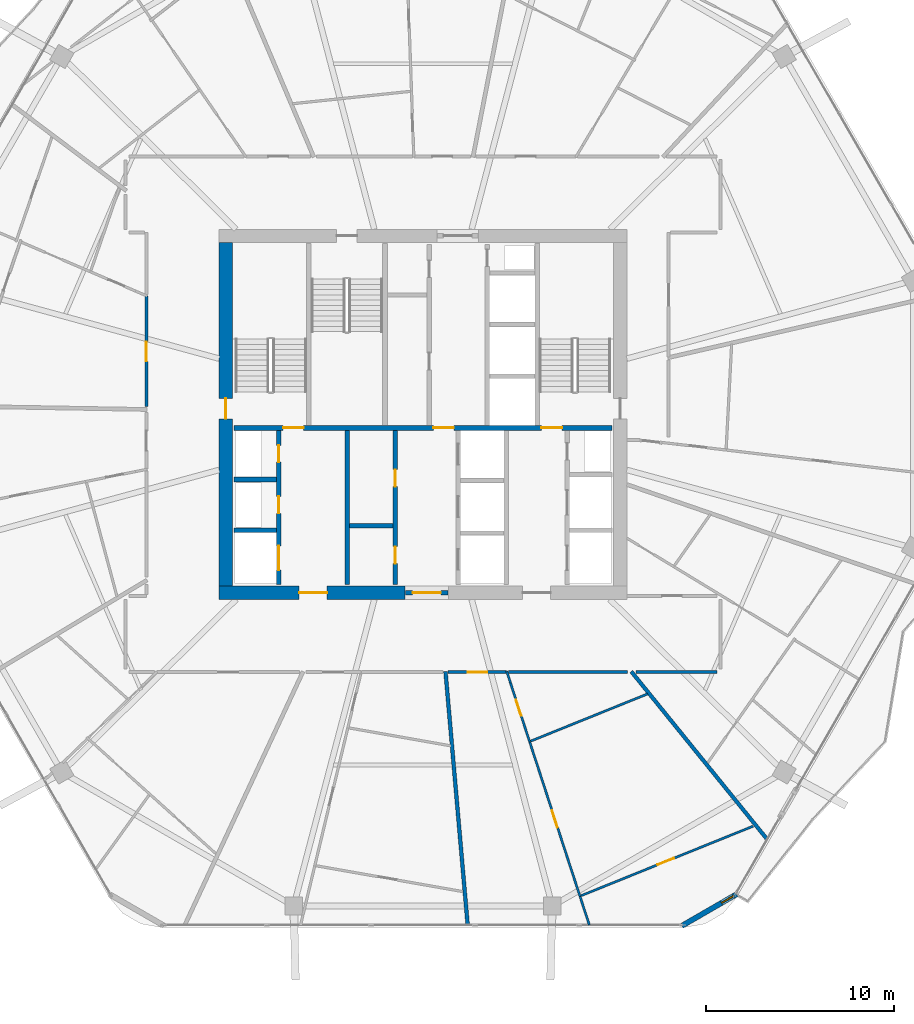
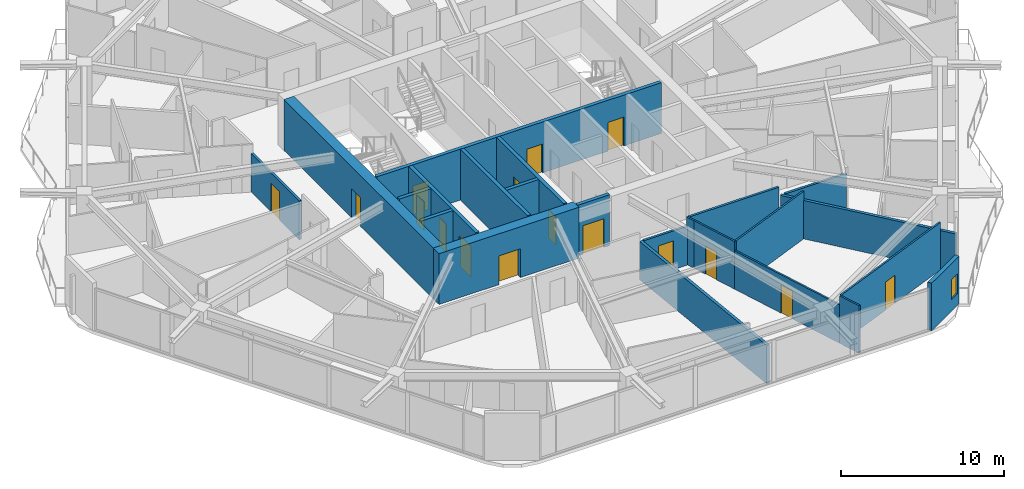
# One storey, part 18 of 26: 23 walls, 16 doors, 1 window, 17 openings.
"""IFC4 building model written with IfcOpenShell, lengths in metres."""

from ifc_helpers import new_model, si_unit, direction, frame, frame_2d, origin, place, context, subcontext, project, spatial, rectangle, extrude, material, layer, layer_set, type_object, element, fill, save


model = new_model("IFC4")

# Units and contexts
model_context = context("Model", 3, precision=1e-05, world=origin(), true_north=direction((0.0, 1.0)))
body_context = subcontext(model_context, "Body", "Model", "MODEL_VIEW")
ifc_project = project(units=[si_unit("LENGTHUNIT", "METRE"), si_unit("AREAUNIT", "SQUARE_METRE"), si_unit("VOLUMEUNIT", "CUBIC_METRE"), si_unit("PLANEANGLEUNIT", "RADIAN"), si_unit("MASSUNIT", "GRAM", prefix="KILO")], contexts=[model_context])

# Site, building, storey
site_placement = place(None, origin())
site = spatial("IfcSite", under=ifc_project, at=site_placement, CompositionType="ELEMENT")
building_placement = place(site_placement, origin())
building = spatial("IfcBuilding", under=site, at=building_placement, Name="Zuhravey Tower", CompositionType="ELEMENT")
storey_placement = place(building_placement, frame((0.0, 0.0, 211.199951171875)))
storey = spatial("IfcBuildingStorey", under=building, at=storey_placement, Name="L53", CompositionType="ELEMENT", Elevation=211.199951171875)

# Wall, opening, door
ifc_material_1 = material(Name="Concrete C60/75", Category="concrete")
ifc_layer_1 = layer(ifc_material_1, 0.699951171875)
ifc_layer_set_1 = layer_set([ifc_layer_1], Name="Concrete C60/75")
wall_type_1 = type_object("IfcWallType", Name="Core Shear Wall 700", PredefinedType="SHEAR", material=ifc_layer_set_1)
wall_1_placement = place(storey_placement, frame((25.14990234375, 22.5, 0.0), z_axis=(0.0, 0.0, 1.0), x_axis=(1.0, 0.0, 0.0)))
wall_1 = element("IfcWall", 1, at=wall_1_placement, inside=storey, type_object=wall_type_1, Name="L53 South-West Core Shear Wall CW70", PredefinedType="SHEAR", context=body_context, shape_type="SweptSolid", body=[
    extrude(rectangle(XDim=9.900146484375, YDim=0.699951171875, at=frame_2d((4.9501953125, 0.0))), origin(), (0.0, 0.0, 1.0), 3.800048828125),
])
opening_1_placement = place(wall_1_placement, frame((4.25, 0.0, 0.0)))
opening_1 = element("IfcOpeningElement", 2, at=opening_1_placement, cuts=wall_1, Name="Opening FFD1", PredefinedType="OPENING", context=body_context, shape_type="SweptSolid", body=[
    extrude(rectangle(XDim=1.5, YDim=2.14990234375, at=frame_2d((0.75, 1.074951171875))), frame((0.0, 0.362060546875, 0.0), z_axis=(0.0, -1.0, 0.0), x_axis=(1.0, 0.0, 0.0)), (0.0, 0.0, 1.0), 0.723876953125),
])
ifc_material_2 = material(Name="Galvanised fire-rated steel leaf", Category="steel")
door_type_1 = type_object("IfcDoorType", Name="Firefighting Lobby Double Door 1500x2150", OperationType="DOUBLE_DOOR_SINGLE_SWING", PredefinedType="DOOR", material=ifc_material_2)
door_1_placement = place(opening_1_placement, origin())
door_1 = element("IfcDoor", 3, at=door_1_placement, inside=storey, type_object=door_type_1, Name="L53 Firefighting Lobby West Door", OperationType="DOUBLE_DOOR_SINGLE_SWING", OverallHeight=2.14990234375, OverallWidth=1.5, PredefinedType="DOOR", context=body_context, shape_type="SweptSolid", body=[
    extrude(rectangle(XDim=1.5, YDim=2.14990234375, at=frame_2d((0.75, 1.074951171875))), frame((0.0, 0.02490234375, 0.0), z_axis=(0.0, -1.0, 0.0), x_axis=(1.0, 0.0, 0.0)), (0.0, 0.0, 1.0), 0.050048828125),
])
fill(opening_1, door_1)

wall_2_placement = place(storey_placement, frame((25.5, 22.85009765625, 0.0), z_axis=(0.0, 0.0, 1.0), x_axis=(0.0, 1.0, 0.0)))
wall_2 = element("IfcWall", 4, at=wall_2_placement, inside=storey, type_object=wall_type_1, Name="L53 West Core Shear Wall CW70", PredefinedType="SHEAR", context=body_context, shape_type="SweptSolid", body=[
    extrude(rectangle(XDim=18.2998046875, YDim=0.699951171875, at=frame_2d((9.14990234375, 0.0))), origin(), (0.0, 0.0, 1.0), 3.800048828125),
])
opening_2_placement = place(wall_2_placement, frame((8.89990234375, 0.0, 0.0)))
opening_2 = element("IfcOpeningElement", 5, at=opening_2_placement, cuts=wall_2, Name="Opening STD1", PredefinedType="OPENING", context=body_context, shape_type="SweptSolid", body=[
    extrude(rectangle(XDim=1.10009765625, YDim=2.14990234375, at=frame_2d((0.550048828125, 1.074951171875))), frame((0.0, 0.362060546875, 0.0), z_axis=(0.0, -1.0, 0.0), x_axis=(1.0, 0.0, 0.0)), (0.0, 0.0, 1.0), 0.723876953125),
])
door_type_2 = type_object("IfcDoorType", Name="Protected Stair Fire Door 1100x2150", OperationType="NOTDEFINED", PredefinedType="USERDEFINED", material=ifc_material_2)
door_2_placement = place(opening_2_placement, frame((1.10009765625, 0.0, 0.0), z_axis=(0.0, 0.0, 1.0), x_axis=(-1.0, 0.0, 0.0)))
door_2 = element("IfcDoor", 6, at=door_2_placement, inside=storey, type_object=door_type_2, Name="L53 Stair ST1 Door", ObjectType="EXITDOOR", OperationType="SINGLE_SWING_LEFT", OverallHeight=2.14990234375, OverallWidth=1.10009765625, PredefinedType="USERDEFINED", context=body_context, shape_type="SweptSolid", body=[
    extrude(rectangle(XDim=1.10009765625, YDim=2.14990234375, at=frame_2d((0.550048828125, 1.074951171875))), frame((0.0, 0.02490234375, 0.0), z_axis=(0.0, -1.0, 0.0), x_axis=(1.0, 0.0, 0.0)), (0.0, 0.0, 1.0), 0.050048828125),
])
fill(opening_2, door_2)

ifc_material_3 = material(Name="Gypsum fire-rated stud partition")
ifc_layer_2 = layer(ifc_material_3, 0.159912109375)
ifc_layer_set_2 = layer_set([ifc_layer_2], Name="Gypsum fire-rated stud partition")
wall_type_2 = type_object("IfcWallType", Name="Corridor Fire Partition 160", PredefinedType="PARTITIONING", material=ifc_layer_set_2)
wall_3_placement = place(storey_placement, frame((21.27001953125, 38.29150390625, 0.0), z_axis=(0.0, 0.0, 1.0), x_axis=(0.0, -1.0, 0.0)))
wall_3 = element("IfcWall", 7, at=wall_3_placement, inside=storey, type_object=wall_type_2, Name="L53 IW16 Partition 040", PredefinedType="PARTITIONING", context=body_context, shape_type="SweptSolid", body=[
    extrude(rectangle(XDim=5.8857421875, YDim=0.159912109375, at=frame_2d((2.94287109375, 0.0))), origin(), (0.0, 0.0, 1.0), 2.900146484375),
])
opening_3_placement = place(wall_3_placement, frame((2.41796875, 0.0, 0.0)))
opening_3 = element("IfcOpeningElement", 8, at=opening_3_placement, cuts=wall_3, Name="Opening APD1", PredefinedType="OPENING", context=body_context, shape_type="SweptSolid", body=[
    extrude(rectangle(XDim=1.050048828125, YDim=2.14990234375, at=frame_2d((0.52490234375, 1.074951171875))), frame((0.0, 0.092041015625, 0.0), z_axis=(0.0, -1.0, 0.0), x_axis=(1.0, 0.0, 0.0)), (0.0, 0.0, 1.0), 0.183837890625),
])
ifc_material_4 = material(Name="Solid-core oak fire-rated leaf")
door_type_3 = type_object("IfcDoorType", Name="Apartment Entrance Fire Door 1050x2150", OperationType="NOTDEFINED", PredefinedType="DOOR", material=ifc_material_4)
door_3_placement = place(opening_3_placement, frame((1.050048828125, 0.0, 0.0), z_axis=(0.0, 0.0, 1.0), x_axis=(-1.0, 0.0, 0.0)))
door_3 = element("IfcDoor", 9, at=door_3_placement, inside=storey, type_object=door_type_3, Name="L53 Door 040.1", OperationType="SINGLE_SWING_LEFT", OverallHeight=2.14990234375, OverallWidth=1.050048828125, PredefinedType="DOOR", context=body_context, shape_type="SweptSolid", body=[
    extrude(rectangle(XDim=1.050048828125, YDim=2.14990234375, at=frame_2d((0.52490234375, 1.074951171875))), frame((0.0, 0.02490234375, 0.0), z_axis=(0.0, -1.0, 0.0), x_axis=(1.0, 0.0, 0.0)), (0.0, 0.0, 1.0), 0.050048828125),
])
fill(opening_3, door_3)

wall_4_placement = place(storey_placement, frame((37.342041015625, 18.27001953125, 0.0), z_axis=(0.0, 0.0, 1.0), x_axis=(1.0, 0.0, 0.0)))
wall_4 = element("IfcWall", 10, at=wall_4_placement, inside=storey, type_object=wall_type_2, Name="L53 IW16 Partition 059", PredefinedType="PARTITIONING", context=body_context, shape_type="SweptSolid", body=[
    extrude(rectangle(XDim=3.108642578125, YDim=0.159912109375, at=frame_2d((1.55419921875, 0.0))), origin(), (0.0, 0.0, 1.0), 2.900146484375),
])
opening_4_placement = place(wall_4_placement, frame((1.029296875, 0.0, 0.0)))
opening_4 = element("IfcOpeningElement", 11, at=opening_4_placement, cuts=wall_4, Name="Opening APD1", PredefinedType="OPENING", context=body_context, shape_type="SweptSolid", body=[
    extrude(rectangle(XDim=1.050048828125, YDim=2.14990234375, at=frame_2d((0.52490234375, 1.074951171875))), frame((0.0, 0.092041015625, 0.0), z_axis=(0.0, -1.0, 0.0), x_axis=(1.0, 0.0, 0.0)), (0.0, 0.0, 1.0), 0.183837890625),
])
door_4_placement = place(opening_4_placement, frame((1.050048828125, 0.0, 0.0), z_axis=(0.0, 0.0, 1.0), x_axis=(-1.0, 0.0, 0.0)))
door_4 = element("IfcDoor", 12, at=door_4_placement, inside=storey, type_object=door_type_3, Name="L53 Door 059.1", OperationType="SINGLE_SWING_LEFT", OverallHeight=2.14990234375, OverallWidth=1.050048828125, PredefinedType="DOOR", context=body_context, shape_type="SweptSolid", body=[
    extrude(rectangle(XDim=1.050048828125, YDim=2.14990234375, at=frame_2d((0.52490234375, 1.074951171875))), frame((0.0, 0.02490234375, 0.0), z_axis=(0.0, -1.0, 0.0), x_axis=(1.0, 0.0, 0.0)), (0.0, 0.0, 1.0), 0.050048828125),
])
fill(opening_4, door_4)

# Walls
wall_5_placement = place(storey_placement, frame((40.543212890625, 18.27001953125, 0.0), z_axis=(0.0, 0.0, 1.0), x_axis=(1.0, 0.0, 0.0)))
element("IfcWall", 13, at=wall_5_placement, inside=storey, type_object=wall_type_2, Name="L53 IW16 Partition 135", PredefinedType="PARTITIONING", context=body_context, shape_type="SweptSolid", body=[
    extrude(rectangle(XDim=6.3525390625, YDim=0.159912109375, at=frame_2d((3.17626953125, 0.0))), origin(), (0.0, 0.0, 1.0), 3.550048828125),
])
wall_6_placement = place(storey_placement, frame((47.343994140625, 18.27001953125, 0.0), z_axis=(0.0, 0.0, 1.0), x_axis=(1.0, 0.0, 0.0)))
element("IfcWall", 14, at=wall_6_placement, inside=storey, type_object=wall_type_2, Name="L53 IW16 Partition 136", PredefinedType="PARTITIONING", context=body_context, shape_type="SweptSolid", body=[
    extrude(rectangle(XDim=4.305908203125, YDim=0.159912109375, at=frame_2d((2.15283203125, 0.0))), origin(), (0.0, 0.0, 1.0), 2.900146484375),
])

# Wall, opening, window
ifc_material_5 = material(Name="Precast concrete C40/50", Category="concrete")
ifc_layer_3 = layer(ifc_material_5, 0.280029296875)
ifc_layer_set_3 = layer_set([ifc_layer_3], Name="Precast concrete C40/50")
wall_type_3 = type_object("IfcWallType", Name="Crown Architectural Wall 280", PredefinedType="SOLIDWALL", material=ifc_layer_set_3)
wall_7_placement = place(storey_placement, frame((52.693115234375, 6.451904296875, 0.0), z_axis=(0.0, 0.0, 1.0), x_axis=(-0.866020068361, -0.500009241111, 0.0)))
wall_7 = element("IfcWall", 15, at=wall_7_placement, inside=storey, type_object=wall_type_3, Name="L53 Rounded Corner Closure Wall EW28-02", PredefinedType="SOLIDWALL", context=body_context, shape_type="SweptSolid", body=[
    extrude(rectangle(XDim=3.365234375, YDim=0.280029296875, at=frame_2d((1.6826171875, 0.0))), origin(), (0.0, 0.0, 1.0), 3.550048828125),
])
opening_5_placement = place(wall_7_placement, frame((0.17919921875, 0.0, 0.85009765625)))
opening_5 = element("IfcOpeningElement", 16, at=opening_5_placement, cuts=wall_7, Name="Opening WN5", PredefinedType="OPENING", context=body_context, shape_type="SweptSolid", body=[
    extrude(rectangle(XDim=0.75, YDim=1.5, at=frame_2d((0.375, 0.75))), frame((0.0, 0.152099609375, 0.0), z_axis=(0.0, -1.0, 0.0), x_axis=(1.0, 0.0, 0.0)), (0.0, 0.0, 1.0), 0.303955078125),
])
ifc_material_6 = material(Name="Thermally broken aluminium and triple low-E glass", Category="aluminium")
window_type = type_object("IfcWindowType", Name="Residential Corner Casement Window 750x1500", PartitioningType="SINGLE_PANEL", PredefinedType="WINDOW", material=ifc_material_6)
window_placement = place(opening_5_placement, origin())
window = element("IfcWindow", 17, at=window_placement, inside=storey, type_object=window_type, Name="L53 Corner Casement Window WN5-02.1", OverallHeight=1.5, OverallWidth=0.75, PartitioningType="SINGLE_PANEL", PredefinedType="WINDOW", context=body_context, shape_type="SweptSolid", body=[
    extrude(rectangle(XDim=0.75, YDim=1.5, at=frame_2d((0.375, 0.75))), frame((0.0, 0.030029296875, 0.0), z_axis=(0.0, -1.0, 0.0), x_axis=(1.0, 0.0, 0.0)), (0.0, 0.0, 1.0), 0.06005859375),
])
fill(opening_5, window)

# Wall, opening, door
ifc_material_7 = material(Name="Concrete C50/60", Category="concrete")
ifc_layer_4 = layer(ifc_material_7, 0.25)
ifc_layer_set_4 = layer_set([ifc_layer_4], Name="Concrete C50/60")
wall_type_4 = type_object("IfcWallType", Name="Firefighting Shaft & Stair Wall 250", PredefinedType="SOLIDWALL", material=ifc_layer_set_4)
wall_8_placement = place(storey_placement, frame((35.06005859375, 22.5, 0.0), z_axis=(0.0, 0.0, 1.0), x_axis=(1.0, 0.0, 0.0)))
wall_8 = element("IfcWall", 18, at=wall_8_placement, inside=storey, type_object=wall_type_4, Name="L53 FW25 Shaft Wall 001", PredefinedType="SOLIDWALL", context=body_context, shape_type="SweptSolid", body=[
    extrude(rectangle(XDim=2.280029296875, YDim=0.25, at=frame_2d((1.14013671875, 0.0))), origin(), (0.0, 0.0, 1.0), 3.800048828125),
])
opening_6_placement = place(wall_8_placement, frame((0.389892578125, 0.0, 0.0)))
opening_6 = element("IfcOpeningElement", 19, at=opening_6_placement, cuts=wall_8, Name="Opening FFD1", PredefinedType="OPENING", context=body_context, shape_type="SweptSolid", body=[
    extrude(rectangle(XDim=1.5, YDim=2.14990234375, at=frame_2d((0.75, 1.074951171875))), frame((0.0, 0.136962890625, 0.0), z_axis=(0.0, -1.0, 0.0), x_axis=(1.0, 0.0, 0.0)), (0.0, 0.0, 1.0), 0.27392578125),
])
door_5_placement = place(opening_6_placement, frame((1.5, 0.0, 0.0), z_axis=(0.0, 0.0, 1.0), x_axis=(-1.0, 0.0, 0.0)))
door_5 = element("IfcDoor", 20, at=door_5_placement, inside=storey, type_object=door_type_1, Name="L53 South Lift Lobby Exit Door", OperationType="DOUBLE_DOOR_SINGLE_SWING", OverallHeight=2.14990234375, OverallWidth=1.5, PredefinedType="DOOR", context=body_context, shape_type="SweptSolid", body=[
    extrude(rectangle(XDim=1.5, YDim=2.14990234375, at=frame_2d((0.75, 1.074951171875))), frame((0.0, 0.02490234375, 0.0), z_axis=(0.0, -1.0, 0.0), x_axis=(1.0, 0.0, 0.0)), (0.0, 0.0, 1.0), 0.050048828125),
])
fill(opening_6, door_5)

# Wall, openings, doors
wall_9_placement = place(storey_placement, frame((25.949951171875, 31.27490234375, 0.0), z_axis=(0.0, 0.0, 1.0), x_axis=(1.0, 0.0, 0.0)))
wall_9 = element("IfcWall", 21, at=wall_9_placement, inside=storey, type_object=wall_type_4, Name="L53 FW25 Shaft Wall 003", PredefinedType="SOLIDWALL", context=body_context, shape_type="SweptSolid", body=[
    extrude(rectangle(XDim=20.10009765625, YDim=0.25, at=frame_2d((10.050048828125, 0.0))), origin(), (0.0, 0.0, 1.0), 3.800048828125),
])
opening_7_placement = place(wall_9_placement, frame((2.60009765625, 0.0, 0.0)))
opening_7 = element("IfcOpeningElement", 22, at=opening_7_placement, cuts=wall_9, Name="Opening STD1", PredefinedType="OPENING", context=body_context, shape_type="SweptSolid", body=[
    extrude(rectangle(XDim=1.10009765625, YDim=2.14990234375, at=frame_2d((0.550048828125, 1.074951171875))), frame((0.0, 0.136962890625, 0.0), z_axis=(0.0, -1.0, 0.0), x_axis=(1.0, 0.0, 0.0)), (0.0, 0.0, 1.0), 0.27392578125),
])
opening_8_placement = place(wall_9_placement, frame((10.60009765625, 0.0, 0.0)))
opening_8 = element("IfcOpeningElement", 23, at=opening_8_placement, cuts=wall_9, Name="Opening STD1", PredefinedType="OPENING", context=body_context, shape_type="SweptSolid", body=[
    extrude(rectangle(XDim=1.10009765625, YDim=2.14990234375, at=frame_2d((0.550048828125, 1.074951171875))), frame((0.0, 0.136962890625, 0.0), z_axis=(0.0, -1.0, 0.0), x_axis=(1.0, 0.0, 0.0)), (0.0, 0.0, 1.0), 0.27392578125),
])
opening_9_placement = place(wall_9_placement, frame((16.35009765625, 0.0, 0.0)))
opening_9 = element("IfcOpeningElement", 24, at=opening_9_placement, cuts=wall_9, Name="Opening STD1", PredefinedType="OPENING", context=body_context, shape_type="SweptSolid", body=[
    extrude(rectangle(XDim=1.10009765625, YDim=2.14990234375, at=frame_2d((0.550048828125, 1.074951171875))), frame((0.0, 0.136962890625, 0.0), z_axis=(0.0, -1.0, 0.0), x_axis=(1.0, 0.0, 0.0)), (0.0, 0.0, 1.0), 0.27392578125),
])
door_6_placement = place(opening_7_placement, origin())
door_6 = element("IfcDoor", 25, at=door_6_placement, inside=storey, type_object=door_type_2, Name="L53 FFL-W to ST1 Door", ObjectType="EXITDOOR", OperationType="SINGLE_SWING_RIGHT", OverallHeight=2.14990234375, OverallWidth=1.10009765625, PredefinedType="USERDEFINED", context=body_context, shape_type="SweptSolid", body=[
    extrude(rectangle(XDim=1.10009765625, YDim=2.14990234375, at=frame_2d((0.550048828125, 1.074951171875))), frame((0.0, 0.02490234375, 0.0), z_axis=(0.0, -1.0, 0.0), x_axis=(1.0, 0.0, 0.0)), (0.0, 0.0, 1.0), 0.050048828125),
])
fill(opening_7, door_6)
door_7_placement = place(opening_8_placement, origin())
door_7 = element("IfcDoor", 26, at=door_7_placement, inside=storey, type_object=door_type_2, Name="L53 Core Lobby Link Door", ObjectType="EXITDOOR", OperationType="SINGLE_SWING_LEFT", OverallHeight=2.14990234375, OverallWidth=1.10009765625, PredefinedType="USERDEFINED", context=body_context, shape_type="SweptSolid", body=[
    extrude(rectangle(XDim=1.10009765625, YDim=2.14990234375, at=frame_2d((0.550048828125, 1.074951171875))), frame((0.0, 0.02490234375, 0.0), z_axis=(0.0, -1.0, 0.0), x_axis=(1.0, 0.0, 0.0)), (0.0, 0.0, 1.0), 0.050048828125),
])
fill(opening_8, door_7)
door_8_placement = place(opening_9_placement, origin())
door_8 = element("IfcDoor", 27, at=door_8_placement, inside=storey, type_object=door_type_2, Name="L53 FFL-E to ST2 Door", ObjectType="EXITDOOR", OperationType="SINGLE_SWING_RIGHT", OverallHeight=2.14990234375, OverallWidth=1.10009765625, PredefinedType="USERDEFINED", context=body_context, shape_type="SweptSolid", body=[
    extrude(rectangle(XDim=1.10009765625, YDim=2.14990234375, at=frame_2d((0.550048828125, 1.074951171875))), frame((0.0, 0.02490234375, 0.0), z_axis=(0.0, -1.0, 0.0), x_axis=(1.0, 0.0, 0.0)), (0.0, 0.0, 1.0), 0.050048828125),
])
fill(opening_9, door_8)

# Walls
for number, where, z_axis, x_axis, name in (
    (28, (25.949951171875, 25.824951171875, 0.0), (0.0, 0.0, 1.0), (1.0, 0.0, 0.0), "L53 FW25 Shaft Wall 009"),
    (29, (25.949951171875, 28.52490234375, 0.0), (0.0, 0.0, 1.0), (1.0, 0.0, 0.0), "L53 FW25 Shaft Wall 010"),
):
    element("IfcWall", number, at=place(storey_placement, frame(where, z_axis=z_axis, x_axis=x_axis)), inside=storey, type_object=wall_type_4, Name=name, PredefinedType="SOLIDWALL", context=body_context, shape_type="SweptSolid", body=[
        extrude(rectangle(XDim=2.25, YDim=0.25, at=frame_2d((1.125, 0.0))), origin(), (0.0, 0.0, 1.0), 3.800048828125),
    ])

# Wall, openings, doors
wall_10_placement = place(storey_placement, frame((28.324951171875, 22.949951171875, 0.0), z_axis=(0.0, 0.0, 1.0), x_axis=(0.0, 1.0, 0.0)))
wall_10 = element("IfcWall", 30, at=wall_10_placement, inside=storey, type_object=wall_type_4, Name="L53 FW25 Shaft Wall 011", PredefinedType="SOLIDWALL", context=body_context, shape_type="SweptSolid", body=[
    extrude(rectangle(XDim=8.199951171875, YDim=0.25, at=frame_2d((4.10009765625, 0.0))), origin(), (0.0, 0.0, 1.0), 3.800048828125),
])
opening_10_placement = place(wall_10_placement, frame((0.75, 0.0, 0.0)))
opening_10 = element("IfcOpeningElement", 31, at=opening_10_placement, cuts=wall_10, Name="Opening LD2", PredefinedType="OPENING", context=body_context, shape_type="SweptSolid", body=[
    extrude(rectangle(XDim=1.300048828125, YDim=2.300048828125, at=frame_2d((0.64990234375, 1.14990234375))), frame((0.0, 0.136962890625, 0.0), z_axis=(0.0, -1.0, 0.0), x_axis=(1.0, 0.0, 0.0)), (0.0, 0.0, 1.0), 0.27392578125),
])
opening_11_placement = place(wall_10_placement, frame((3.780029296875, 0.0, 0.0)))
opening_11 = element("IfcOpeningElement", 32, at=opening_11_placement, cuts=wall_10, Name="Opening RSD1", PredefinedType="OPENING", context=body_context, shape_type="SweptSolid", body=[
    extrude(rectangle(XDim=0.89990234375, YDim=2.10009765625, at=frame_2d((0.449951171875, 1.050048828125))), frame((0.0, 0.136962890625, 0.0), z_axis=(0.0, -1.0, 0.0), x_axis=(1.0, 0.0, 0.0)), (0.0, 0.0, 1.0), 0.27392578125),
])
opening_12_placement = place(wall_10_placement, frame((6.5, 0.0, 0.0)))
opening_12 = element("IfcOpeningElement", 33, at=opening_12_placement, cuts=wall_10, Name="Opening RSD1", PredefinedType="OPENING", context=body_context, shape_type="SweptSolid", body=[
    extrude(rectangle(XDim=0.89990234375, YDim=2.10009765625, at=frame_2d((0.449951171875, 1.050048828125))), frame((0.0, 0.136962890625, 0.0), z_axis=(0.0, -1.0, 0.0), x_axis=(1.0, 0.0, 0.0)), (0.0, 0.0, 1.0), 0.27392578125),
])
ifc_material_8 = material(Name="Brushed stainless steel", Category="steel")
door_type_4 = type_object("IfcDoorType", Name="Freight & Stretcher Lift Sliding Door 1300x2300", OperationType="DOUBLE_DOOR_SLIDING", PredefinedType="DOOR", material=ifc_material_8)
door_9_placement = place(opening_10_placement, frame((1.300048828125, 0.0, 0.0), z_axis=(0.0, 0.0, 1.0), x_axis=(-1.0, 0.0, 0.0)))
door_9 = element("IfcDoor", 34, at=door_9_placement, inside=storey, type_object=door_type_4, Name="L53 Lift FF1 Landing Door", OperationType="DOUBLE_DOOR_SLIDING", OverallHeight=2.300048828125, OverallWidth=1.300048828125, PredefinedType="DOOR", context=body_context, shape_type="SweptSolid", body=[
    extrude(rectangle(XDim=1.300048828125, YDim=2.300048828125, at=frame_2d((0.64990234375, 1.14990234375))), frame((0.0, 0.02490234375, 0.0), z_axis=(0.0, -1.0, 0.0), x_axis=(1.0, 0.0, 0.0)), (0.0, 0.0, 1.0), 0.050048828125),
])
fill(opening_10, door_9)
ifc_material_9 = material(Name="Galvanised fire-rated steel access leaf", Category="steel")
door_type_5 = type_object("IfcDoorType", Name="Riser & Shaft Access Fire Door 900x2100", OperationType="NOTDEFINED", PredefinedType="DOOR", material=ifc_material_9)
door_10_placement = place(opening_11_placement, frame((0.89990234375, 0.0, 0.0), z_axis=(0.0, 0.0, 1.0), x_axis=(-1.0, 0.0, 0.0)))
door_10 = element("IfcDoor", 35, at=door_10_placement, inside=storey, type_object=door_type_5, Name="L53 Electrical Riser Door", OperationType="SINGLE_SWING_RIGHT", OverallHeight=2.10009765625, OverallWidth=0.89990234375, PredefinedType="DOOR", context=body_context, shape_type="SweptSolid", body=[
    extrude(rectangle(XDim=0.89990234375, YDim=2.10009765625, at=frame_2d((0.449951171875, 1.050048828125))), frame((0.0, 0.02490234375, 0.0), z_axis=(0.0, -1.0, 0.0), x_axis=(1.0, 0.0, 0.0)), (0.0, 0.0, 1.0), 0.050048828125),
])
fill(opening_11, door_10)
door_11_placement = place(opening_12_placement, frame((0.89990234375, 0.0, 0.0), z_axis=(0.0, 0.0, 1.0), x_axis=(-1.0, 0.0, 0.0)))
door_11 = element("IfcDoor", 36, at=door_11_placement, inside=storey, type_object=door_type_5, Name="L53 Smoke Shaft Access Door", OperationType="SINGLE_SWING_LEFT", OverallHeight=2.10009765625, OverallWidth=0.89990234375, PredefinedType="DOOR", context=body_context, shape_type="SweptSolid", body=[
    extrude(rectangle(XDim=0.89990234375, YDim=2.10009765625, at=frame_2d((0.449951171875, 1.050048828125))), frame((0.0, 0.02490234375, 0.0), z_axis=(0.0, -1.0, 0.0), x_axis=(1.0, 0.0, 0.0)), (0.0, 0.0, 1.0), 0.050048828125),
])
fill(opening_12, door_11)

# Walls
wall_11_placement = place(storey_placement, frame((31.97509765625, 22.949951171875, 0.0), z_axis=(0.0, 0.0, 1.0), x_axis=(0.0, 1.0, 0.0)))
element("IfcWall", 37, at=wall_11_placement, inside=storey, type_object=wall_type_4, Name="L53 FW25 Shaft Wall 012", PredefinedType="SOLIDWALL", context=body_context, shape_type="SweptSolid", body=[
    extrude(rectangle(XDim=8.199951171875, YDim=0.25, at=frame_2d((4.10009765625, 0.0))), origin(), (0.0, 0.0, 1.0), 3.800048828125),
])
wall_12_placement = place(storey_placement, frame((32.10009765625, 26.074951171875, 0.0), z_axis=(0.0, 0.0, 1.0), x_axis=(1.0, 0.0, 0.0)))
element("IfcWall", 38, at=wall_12_placement, inside=storey, type_object=wall_type_4, Name="L53 FW25 Shaft Wall 013", PredefinedType="SOLIDWALL", context=body_context, shape_type="SweptSolid", body=[
    extrude(rectangle(XDim=2.2998046875, YDim=0.25, at=frame_2d((1.14990234375, 0.0))), origin(), (0.0, 0.0, 1.0), 3.800048828125),
])

# Wall, openings, doors
wall_13_placement = place(storey_placement, frame((34.52490234375, 22.949951171875, 0.0), z_axis=(0.0, 0.0, 1.0), x_axis=(0.0, 1.0, 0.0)))
wall_13 = element("IfcWall", 39, at=wall_13_placement, inside=storey, type_object=wall_type_4, Name="L53 FW25 Shaft Wall 014", PredefinedType="SOLIDWALL", context=body_context, shape_type="SweptSolid", body=[
    extrude(rectangle(XDim=8.199951171875, YDim=0.25, at=frame_2d((4.10009765625, 0.0))), origin(), (0.0, 0.0, 1.0), 3.800048828125),
])
opening_13_placement = place(wall_13_placement, frame((1.10009765625, 0.0, 0.0)))
opening_13 = element("IfcOpeningElement", 40, at=opening_13_placement, cuts=wall_13, Name="Opening RSD1", PredefinedType="OPENING", context=body_context, shape_type="SweptSolid", body=[
    extrude(rectangle(XDim=0.89990234375, YDim=2.10009765625, at=frame_2d((0.449951171875, 1.050048828125))), frame((0.0, 0.136962890625, 0.0), z_axis=(0.0, -1.0, 0.0), x_axis=(1.0, 0.0, 0.0)), (0.0, 0.0, 1.0), 0.27392578125),
])
opening_14_placement = place(wall_13_placement, frame((5.199951171875, 0.0, 0.0)))
opening_14 = element("IfcOpeningElement", 41, at=opening_14_placement, cuts=wall_13, Name="Opening RSD1", PredefinedType="OPENING", context=body_context, shape_type="SweptSolid", body=[
    extrude(rectangle(XDim=0.89990234375, YDim=2.10009765625, at=frame_2d((0.449951171875, 1.050048828125))), frame((0.0, 0.136962890625, 0.0), z_axis=(0.0, -1.0, 0.0), x_axis=(1.0, 0.0, 0.0)), (0.0, 0.0, 1.0), 0.27392578125),
])
door_12_placement = place(opening_13_placement, origin())
door_12 = element("IfcDoor", 42, at=door_12_placement, inside=storey, type_object=door_type_5, Name="L53 Metering Room Door", OperationType="SINGLE_SWING_RIGHT", OverallHeight=2.10009765625, OverallWidth=0.89990234375, PredefinedType="DOOR", context=body_context, shape_type="SweptSolid", body=[
    extrude(rectangle(XDim=0.89990234375, YDim=2.10009765625, at=frame_2d((0.449951171875, 1.050048828125))), frame((0.0, 0.02490234375, 0.0), z_axis=(0.0, -1.0, 0.0), x_axis=(1.0, 0.0, 0.0)), (0.0, 0.0, 1.0), 0.050048828125),
])
fill(opening_13, door_12)
door_13_placement = place(opening_14_placement, origin())
door_13 = element("IfcDoor", 43, at=door_13_placement, inside=storey, type_object=door_type_5, Name="L53 Housekeeping Supply Door", OperationType="SINGLE_SWING_LEFT", OverallHeight=2.10009765625, OverallWidth=0.89990234375, PredefinedType="DOOR", context=body_context, shape_type="SweptSolid", body=[
    extrude(rectangle(XDim=0.89990234375, YDim=2.10009765625, at=frame_2d((0.449951171875, 1.050048828125))), frame((0.0, 0.02490234375, 0.0), z_axis=(0.0, -1.0, 0.0), x_axis=(1.0, 0.0, 0.0)), (0.0, 0.0, 1.0), 0.050048828125),
])
fill(opening_14, door_13)

# Walls
ifc_material_10 = material(Name="Gypsum double-stud party assembly")
ifc_layer_5 = layer(ifc_material_10, 0.199951171875)
ifc_layer_set_5 = layer_set([ifc_layer_5], Name="Gypsum double-stud party assembly")
wall_type_5 = type_object("IfcWallType", Name="Inter-Tenancy Party Wall 200", PredefinedType="PARTITIONING", material=ifc_layer_set_5)
wall_14_placement = place(storey_placement, frame((37.19775390625, 18.31005859375, 0.0), z_axis=(0.0, 0.0, 1.0), x_axis=(0.087149956805, -0.996195204279, 0.0)))
element("IfcWall", 44, at=wall_14_placement, inside=storey, type_object=wall_type_5, Name="L53 IW20 Partition 109", PredefinedType="PARTITIONING", context=body_context, shape_type="SweptSolid", body=[
    extrude(rectangle(XDim=13.544677734375, YDim=0.199951171875, at=frame_2d((6.7724609375, 0.0))), origin(), (0.0, 0.0, 1.0), 2.8701171875),
])
wall_15_placement = place(storey_placement, frame((47.0859375, 18.31005859375, 0.0), z_axis=(0.0, 0.0, 1.0), x_axis=(0.629320349521, -0.777145995086, 0.0)))
element("IfcWall", 45, at=wall_15_placement, inside=storey, type_object=wall_type_5, Name="L53 IW20 Partition 113", PredefinedType="PARTITIONING", context=body_context, shape_type="SweptSolid", body=[
    extrude(rectangle(XDim=11.50146484375, YDim=0.199951171875, at=frame_2d((5.750732421875, 0.0))), origin(), (0.0, 0.0, 1.0), 2.8701171875),
])

# Wall, opening, door
ifc_material_11 = material(Name="Gypsum metal-stud partition")
ifc_layer_6 = layer(ifc_material_11, 0.1201171875)
ifc_layer_set_6 = layer_set([ifc_layer_6], Name="Gypsum metal-stud partition")
wall_type_6 = type_object("IfcWallType", Name="Unit Internal Partition 120", PredefinedType="PARTITIONING", material=ifc_layer_set_6)
wall_16_placement = place(storey_placement, frame((40.657470703125, 17.699951171875, 0.0), z_axis=(0.0, 0.0, 1.0), x_axis=(0.309645010921, -0.950852232059, 0.0)))
wall_16 = element("IfcWall", 46, at=wall_16_placement, inside=storey, type_object=wall_type_6, Name="L53 IW12 Partition 056", PredefinedType="PARTITIONING", context=body_context, shape_type="SweptSolid", body=[
    extrude(rectangle(XDim=3.308349609375, YDim=0.1201171875, at=frame_2d((1.654296875, 0.0))), origin(), (0.0, 0.0, 1.0), 3.550048828125),
])
opening_15_placement = place(wall_16_placement, frame((0.939697265625, 0.0, 0.0)))
opening_15 = element("IfcOpeningElement", 47, at=opening_15_placement, cuts=wall_16, Name="Opening WCD1", PredefinedType="OPENING", context=body_context, shape_type="SweptSolid", body=[
    extrude(rectangle(XDim=0.89990234375, YDim=2.10009765625, at=frame_2d((0.449951171875, 1.050048828125))), frame((0.0, 0.072021484375, 0.0), z_axis=(0.0, -1.0, 0.0), x_axis=(1.0, 0.0, 0.0)), (0.0, 0.0, 1.0), 0.14404296875),
])
ifc_material_12 = material(Name="Moisture-resistant timber leaf", Category="wood")
door_type_6 = type_object("IfcDoorType", Name="Bathroom & WC Internal Door 900x2100", OperationType="NOTDEFINED", PredefinedType="DOOR", material=ifc_material_12)
door_14_placement = place(opening_15_placement, origin())
door_14 = element("IfcDoor", 48, at=door_14_placement, inside=storey, type_object=door_type_6, Name="Apartment L53-08 Bathroom Door", OperationType="SINGLE_SWING_RIGHT", OverallHeight=2.10009765625, OverallWidth=0.89990234375, PredefinedType="DOOR", context=body_context, shape_type="SweptSolid", body=[
    extrude(rectangle(XDim=0.89990234375, YDim=2.10009765625, at=frame_2d((0.449951171875, 1.050048828125))), frame((0.0, 0.02490234375, 0.0), z_axis=(0.0, -1.0, 0.0), x_axis=(1.0, 0.0, 0.0)), (0.0, 0.0, 1.0), 0.050048828125),
])
fill(opening_15, door_14)

wall_17_placement = place(storey_placement, frame((41.681884765625, 14.55419921875, 0.0), z_axis=(0.0, 0.0, 1.0), x_axis=(0.309677992157, -0.950841491087, 0.0)))
wall_17 = element("IfcWall", 49, at=wall_17_placement, inside=storey, type_object=wall_type_6, Name="L53 IW12 Partition 057", PredefinedType="PARTITIONING", context=body_context, shape_type="SweptSolid", body=[
    extrude(rectangle(XDim=8.65380859375, YDim=0.1201171875, at=frame_2d((4.326904296875, 0.0))), origin(), (0.0, 0.0, 1.0), 2.8701171875),
])
opening_16_placement = place(wall_17_placement, frame((3.826904296875, 0.0, 0.0)))
opening_16 = element("IfcOpeningElement", 50, at=opening_16_placement, cuts=wall_17, Name="Opening IND1", PredefinedType="OPENING", context=body_context, shape_type="SweptSolid", body=[
    extrude(rectangle(XDim=0.949951171875, YDim=2.10009765625, at=frame_2d((0.47509765625, 1.050048828125))), frame((0.0, 0.072021484375, 0.0), z_axis=(0.0, -1.0, 0.0), x_axis=(1.0, 0.0, 0.0)), (0.0, 0.0, 1.0), 0.14404296875),
])
ifc_material_13 = material(Name="Painted engineered timber leaf", Category="wood")
door_type_7 = type_object("IfcDoorType", Name="Internal Room & Bedroom Door 950x2100", OperationType="NOTDEFINED", PredefinedType="DOOR", material=ifc_material_13)
door_15_placement = place(opening_16_placement, origin())
door_15 = element("IfcDoor", 51, at=door_15_placement, inside=storey, type_object=door_type_7, Name="Apartment L53-08 Home Office Door", OperationType="SINGLE_SWING_LEFT", OverallHeight=2.10009765625, OverallWidth=0.949951171875, PredefinedType="DOOR", context=body_context, shape_type="SweptSolid", body=[
    extrude(rectangle(XDim=0.949951171875, YDim=2.10009765625, at=frame_2d((0.47509765625, 1.050048828125))), frame((0.0, 0.02490234375, 0.0), z_axis=(0.0, -1.0, 0.0), x_axis=(1.0, 0.0, 0.0)), (0.0, 0.0, 1.0), 0.050048828125),
])
fill(opening_16, door_15)

wall_18_placement = place(storey_placement, frame((44.41748046875, 6.375, 0.0), z_axis=(0.0, 0.0, 1.0), x_axis=(0.927190135349, 0.374591047559, 0.0)))
wall_18 = element("IfcWall", 52, at=wall_18_placement, inside=storey, type_object=wall_type_6, Name="L53 IW12 Partition 058", PredefinedType="PARTITIONING", context=body_context, shape_type="SweptSolid", body=[
    extrude(rectangle(XDim=9.870849609375, YDim=0.1201171875, at=frame_2d((4.935546875, 0.0))), origin(), (0.0, 0.0, 1.0), 3.550048828125),
])
opening_17_placement = place(wall_18_placement, frame((4.37646484375, 0.0, 0.0)))
opening_17 = element("IfcOpeningElement", 53, at=opening_17_placement, cuts=wall_18, Name="Opening IND1", PredefinedType="OPENING", context=body_context, shape_type="SweptSolid", body=[
    extrude(rectangle(XDim=0.949951171875, YDim=2.10009765625, at=frame_2d((0.47509765625, 1.050048828125))), frame((0.0, 0.072021484375, 0.0), z_axis=(0.0, -1.0, 0.0), x_axis=(1.0, 0.0, 0.0)), (0.0, 0.0, 1.0), 0.14404296875),
])
door_16_placement = place(opening_17_placement, frame((0.949951171875, 0.0, 0.0), z_axis=(0.0, 0.0, 1.0), x_axis=(-1.0, 0.0, 0.0)))
door_16 = element("IfcDoor", 54, at=door_16_placement, inside=storey, type_object=door_type_7, Name="Apartment L53-08 Bedroom 1 Door", OperationType="SINGLE_SWING_RIGHT", OverallHeight=2.10009765625, OverallWidth=0.949951171875, PredefinedType="DOOR", context=body_context, shape_type="SweptSolid", body=[
    extrude(rectangle(XDim=0.949951171875, YDim=2.10009765625, at=frame_2d((0.47509765625, 1.050048828125))), frame((0.0, 0.02490234375, 0.0), z_axis=(0.0, -1.0, 0.0), x_axis=(1.0, 0.0, 0.0)), (0.0, 0.0, 1.0), 0.050048828125),
])
fill(opening_17, door_16)

# Walls
wall_19_placement = place(storey_placement, frame((40.45751953125, 18.313720703125, 0.0), z_axis=(0.0, 0.0, 1.0), x_axis=(0.309753046397, -0.95081704352, 0.0)))
element("IfcWall", 55, at=wall_19_placement, inside=storey, type_object=wall_type_6, Name="L53 IW12 Partition 110", PredefinedType="PARTITIONING", context=body_context, shape_type="SweptSolid", body=[
    extrude(rectangle(XDim=0.6455078125, YDim=0.1201171875, at=frame_2d((0.32275390625, 0.0))), origin(), (0.0, 0.0, 1.0), 3.550048828125),
])
wall_20_placement = place(storey_placement, frame((44.36181640625, 6.32568359375, 0.0), z_axis=(0.0, 0.0, 1.0), x_axis=(0.30977951733, -0.950808419527, 0.0)))
element("IfcWall", 56, at=wall_20_placement, inside=storey, type_object=wall_type_6, Name="L53 IW12 Partition 111", PredefinedType="PARTITIONING", context=body_context, shape_type="SweptSolid", body=[
    extrude(rectangle(XDim=1.592041015625, YDim=0.1201171875, at=frame_2d((0.7958984375, 0.0))), origin(), (0.0, 0.0, 1.0), 3.550048828125),
])
wall_21_placement = place(storey_placement, frame((41.737548828125, 14.603515625, 0.0), z_axis=(0.0, 0.0, 1.0), x_axis=(0.927179926312, 0.374616316042, 0.0)))
element("IfcWall", 57, at=wall_21_placement, inside=storey, type_object=wall_type_6, Name="L53 IW12 Partition 112", PredefinedType="PARTITIONING", context=body_context, shape_type="SweptSolid", body=[
    extrude(rectangle(XDim=6.7158203125, YDim=0.1201171875, at=frame_2d((3.35791015625, 0.0))), origin(), (0.0, 0.0, 1.0), 3.550048828125),
])

save(model, "model.ifc")
